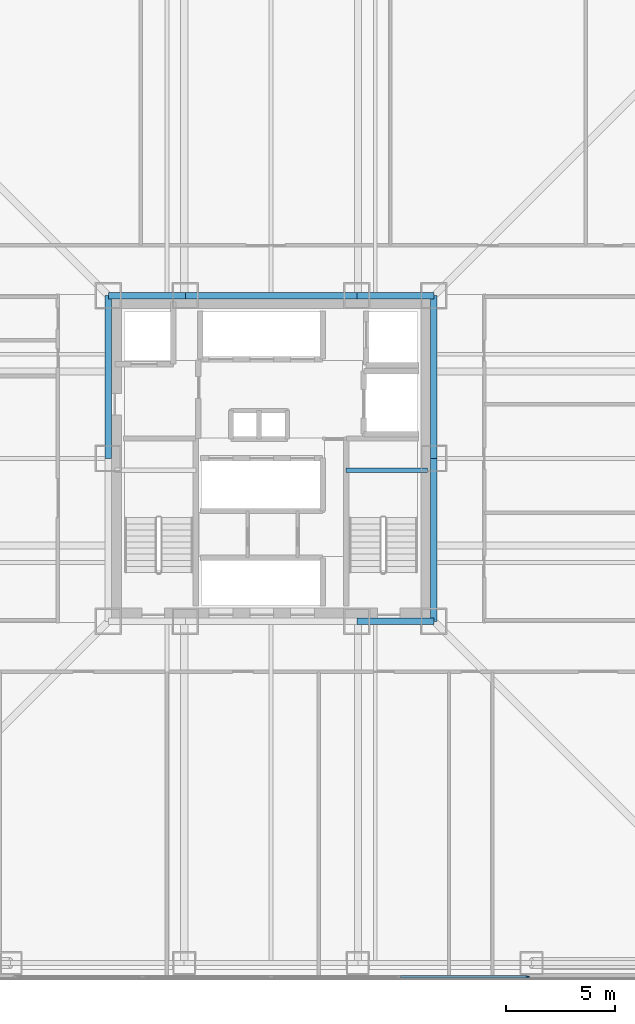
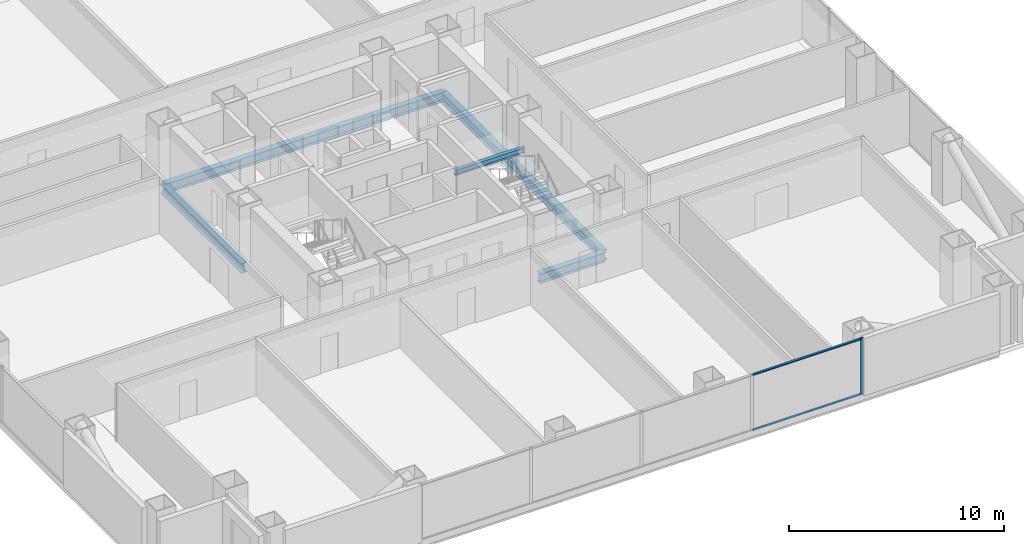
# One storey, part 5 of 15: 8 beams, 3 members, 1 element without a shape of its own.
"""IFC4 building model written with IfcOpenShell, lengths in metres."""

from ifc_helpers import new_model, si_unit, direction, frame, origin, origin_2d, place, context, subcontext, project, spatial, rectangle, i_section, extrude, material, layer, layer_set, material_profile, profile_set, type_object, element, aggregate, save


model = new_model("IFC4")

# Units and contexts
model_context = context("Model", 3, precision=1e-05, world=origin(), true_north=direction((0.0, 1.0)))
body_context = subcontext(model_context, "Body", "Model", "MODEL_VIEW")
ifc_project = project(units=[si_unit("LENGTHUNIT", "METRE"), si_unit("AREAUNIT", "SQUARE_METRE"), si_unit("VOLUMEUNIT", "CUBIC_METRE"), si_unit("PLANEANGLEUNIT", "RADIAN"), si_unit("MASSUNIT", "GRAM", prefix="KILO")], contexts=[model_context])

# Site, building, storey
site_placement = place(None, origin())
site = spatial("IfcSite", under=ifc_project, at=site_placement, CompositionType="ELEMENT")
building_placement = place(site_placement, origin())
building = spatial("IfcBuilding", under=site, at=building_placement, Name="Trevonay Congress Spire", CompositionType="ELEMENT")
storey_placement = place(building_placement, frame((0.0, 0.0, 44.5)))
storey = spatial("IfcBuildingStorey", under=building, at=storey_placement, Name="L10", CompositionType="ELEMENT", Elevation=44.5)

# Beams
ifc_material_1 = material(Name="Steel ASTM A572 Grade 50", Category="steel")
ifc_material_profile_1 = material_profile(ifc_material_1, i_section(OverallWidth=0.31201171875, OverallDepth=0.54296875, WebThickness=0.0126953125, FlangeThickness=0.020263671875, FilletRadius=0.014892578125, at=origin_2d()), Name="W530x150")
ifc_profile_set_1 = profile_set([ifc_material_profile_1], Name="Steel ASTM A572 Grade 50")
beam_type_1 = type_object("IfcBeamType", Name="BM-GIRD-W530X150", PredefinedType="BEAM", material=ifc_profile_set_1)
for number, where, z_axis, x_axis, name in (
    (1, (3.949951171875, -7.5, -0.521484375), (1.0, 0.0, 0.0), (0.0, 1.0, 0.0), "L10 structural beam BM-L10-CR-S3"),
    (2, (-7.5, 7.5, -0.521484375), (1.0, 0.0, 0.0), (0.0, 1.0, 0.0), "L10 structural beam BM-L10-CR-N1"),
):
    element("IfcBeam", number, at=place(storey_placement, frame(where, z_axis=z_axis, x_axis=x_axis)), inside=storey, type_object=beam_type_1, Name=name, PredefinedType="BEAM", context=body_context, shape_type="SweptSolid", body=[
        extrude(i_section(OverallWidth=0.31201171875, OverallDepth=0.54296875, WebThickness=0.0126953125, FlangeThickness=0.020263671875, FilletRadius=0.014892578125, at=origin_2d()), origin(), (0.0, 0.0, 1.0), 3.550048828125),
    ])
beam_1_placement = place(storey_placement, frame((-3.949951171875, 7.5, -0.521484375), z_axis=(1.0, 0.0, 0.0), x_axis=(0.0, 1.0, 0.0)))
element("IfcBeam", 3, at=beam_1_placement, inside=storey, type_object=beam_type_1, Name="L10 structural beam BM-L10-CR-N2", PredefinedType="BEAM", context=body_context, shape_type="SweptSolid", body=[
    extrude(i_section(OverallWidth=0.31201171875, OverallDepth=0.54296875, WebThickness=0.0126953125, FlangeThickness=0.020263671875, FilletRadius=0.014892578125, at=origin_2d()), origin(), (0.0, 0.0, 1.0), 7.89990234375),
])
beam_2_placement = place(storey_placement, frame((3.949951171875, 7.5, -0.521484375), z_axis=(1.0, 0.0, 0.0), x_axis=(0.0, 1.0, 0.0)))
element("IfcBeam", 4, at=beam_2_placement, inside=storey, type_object=beam_type_1, Name="L10 structural beam BM-L10-CR-N3", PredefinedType="BEAM", context=body_context, shape_type="SweptSolid", body=[
    extrude(i_section(OverallWidth=0.31201171875, OverallDepth=0.54296875, WebThickness=0.0126953125, FlangeThickness=0.020263671875, FilletRadius=0.014892578125, at=origin_2d()), origin(), (0.0, 0.0, 1.0), 3.550048828125),
])
for number, where, z_axis, x_axis, name in (
    (5, (-7.5, 0.0, -0.521484375), (0.0, 1.0, 0.0), (-1.0, 0.0, 0.0), "L10 structural beam BM-L10-CR-W2"),
    (6, (7.5, -7.5, -0.521484375), (0.0, 1.0, 0.0), (-1.0, 0.0, 0.0), "L10 structural beam BM-L10-CR-E1"),
    (7, (7.5, 0.0, -0.521484375), (0.0, 1.0, 0.0), (-1.0, 0.0, 0.0), "L10 structural beam BM-L10-CR-E2"),
):
    element("IfcBeam", number, at=place(storey_placement, frame(where, z_axis=z_axis, x_axis=x_axis)), inside=storey, type_object=beam_type_1, Name=name, PredefinedType="BEAM", context=body_context, shape_type="SweptSolid", body=[
        extrude(i_section(OverallWidth=0.31201171875, OverallDepth=0.54296875, WebThickness=0.0126953125, FlangeThickness=0.020263671875, FilletRadius=0.014892578125, at=origin_2d()), origin(), (0.0, 0.0, 1.0), 7.5),
    ])

# Curtain wall, members
ifc_material_2 = material(Name="Pale Anodised Aluminium EN AW-6063-T6", Category="aluminium")
ifc_layer = layer(ifc_material_2, 0.179931640625, Name="Pale Anodised Aluminium EN AW-6063-T6")
ifc_layer_set = layer_set([ifc_layer], Name="Pale Anodised Aluminium EN AW-6063-T6")
curtain_wall_type = type_object("IfcCurtainWallType", Name="CW-SYS02-HOTEL-PALE-METAL", PredefinedType="NOTDEFINED", material=ifc_layer_set)
curtain_wall_placement = place(storey_placement, origin())
curtain_wall = element("IfcCurtainWall", 8, at=curtain_wall_placement, inside=storey, type_object=curtain_wall_type, Name="L10 S unitised curtain wall", PredefinedType="NOTDEFINED")
ifc_material_profile_2 = material_profile(ifc_material_2, rectangle(XDim=0.06005859375, YDim=0.159912109375, at=origin_2d()), Name="CW-MULLION-160-ALUMINIUM")
ifc_profile_set_2 = profile_set([ifc_material_profile_2], Name="Pale Anodised Aluminium EN AW-6063-T6")
member_type_1 = type_object("IfcMemberType", Name="CW-MULLION-160-ALUMINIUM", PredefinedType="MULLION", material=ifc_profile_set_2)
member_1_placement = place(storey_placement, frame((11.820068359375, -23.8798828125, 0.0), z_axis=(0.0, 0.0, 1.0), x_axis=(0.0, 1.0, 0.0)))
member_1 = element("IfcMember", 9, at=member_1_placement, type_object=member_type_1, Name="CW02 mullion 5", PredefinedType="MULLION", context=body_context, shape_type="SweptSolid", body=[
    extrude(rectangle(XDim=0.06005859375, YDim=0.159912109375, at=origin_2d()), origin(), (0.0, 0.0, 1.0), 3.25),
])
ifc_material_profile_3 = material_profile(ifc_material_2, rectangle(XDim=0.1201171875, YDim=0.06005859375, at=origin_2d()), Name="CW-TRANSOM-120-ALUMINIUM")
ifc_profile_set_3 = profile_set([ifc_material_profile_3], Name="Pale Anodised Aluminium EN AW-6063-T6")
member_type_2 = type_object("IfcMemberType", Name="CW-TRANSOM-120-ALUMINIUM", PredefinedType="USERDEFINED", material=ifc_profile_set_3)
member_2_placement = place(storey_placement, frame((5.955078125, -23.8798828125, 0.06005859375), z_axis=(1.0, 0.0, 0.0), x_axis=(0.0, 1.0, 0.0)))
member_2 = element("IfcMember", 10, at=member_2_placement, type_object=member_type_2, Name="CW02 transom 4.1", ObjectType="TRANSOM", PredefinedType="USERDEFINED", context=body_context, shape_type="SweptSolid", body=[
    extrude(rectangle(XDim=0.1201171875, YDim=0.06005859375, at=origin_2d()), origin(), (0.0, 0.0, 1.0), 5.8349609375),
])
member_3_placement = place(storey_placement, frame((5.955078125, -23.8798828125, 3.18994140625), z_axis=(1.0, 0.0, 0.0), x_axis=(0.0, 1.0, 0.0)))
member_3 = element("IfcMember", 11, at=member_3_placement, type_object=member_type_2, Name="CW02 transom 4.2", ObjectType="TRANSOM", PredefinedType="USERDEFINED", context=body_context, shape_type="SweptSolid", body=[
    extrude(rectangle(XDim=0.1201171875, YDim=0.06005859375, at=origin_2d()), origin(), (0.0, 0.0, 1.0), 5.8349609375),
])
aggregate(curtain_wall, [member_1, member_2, member_3])

# Beam
ifc_material_profile_4 = material_profile(ifc_material_1, i_section(OverallWidth=0.2041015625, OverallDepth=0.305908203125, WebThickness=0.008544921875, FlangeThickness=0.0146484375, FilletRadius=0.010986328125, at=origin_2d()), Name="W310x67")
ifc_profile_set_4 = profile_set([ifc_material_profile_4], Name="Steel ASTM A572 Grade 50")
beam_type_2 = type_object("IfcBeamType", Name="LN-CORE-W310X67", PredefinedType="LINTEL", material=ifc_profile_set_4)
beam_3_placement = place(storey_placement, frame((3.449951171875, -0.550048828125, 1.39697265625), z_axis=(1.0, 0.0, 0.0), x_axis=(0.0, 1.0, 0.0)))
element("IfcBeam", 12, at=beam_3_placement, inside=storey, type_object=beam_type_2, Name="L10 structural beam BM-L10-HL-ST2", PredefinedType="LINTEL", context=body_context, shape_type="SweptSolid", body=[
    extrude(i_section(OverallWidth=0.2041015625, OverallDepth=0.305908203125, WebThickness=0.008544921875, FlangeThickness=0.0146484375, FilletRadius=0.010986328125, at=origin_2d()), origin(), (0.0, 0.0, 1.0), 3.75),
])

save(model, "model.ifc")
